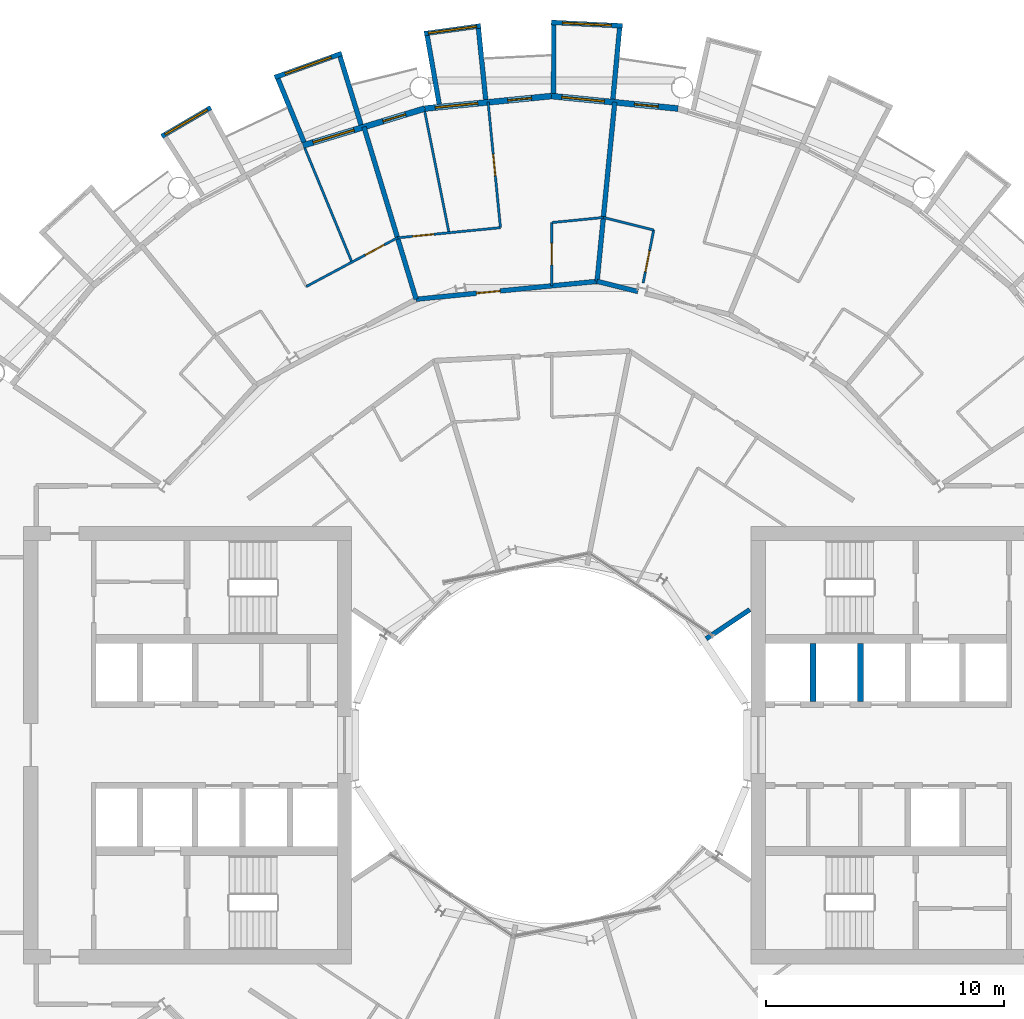
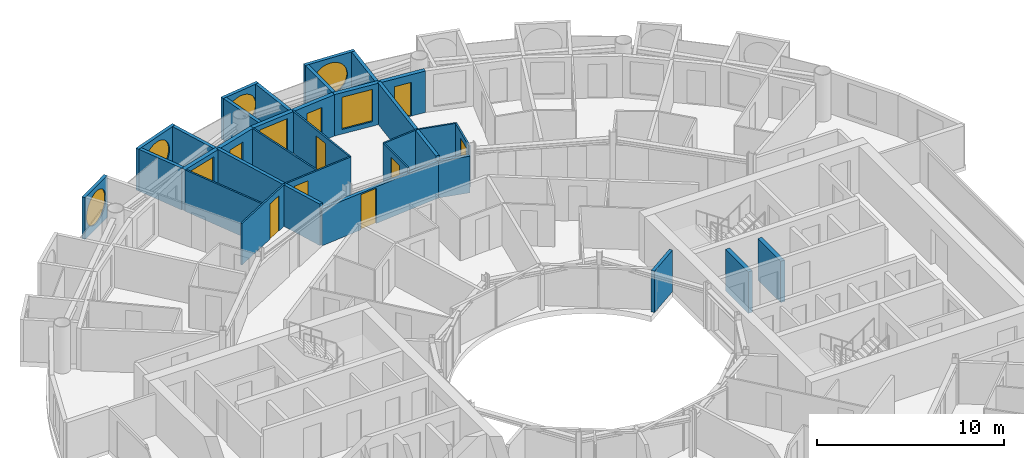
# One storey, part 21 of 26: 29 walls, 9 doors, 7 windows, 16 openings.
"""IFC4 building model written with IfcOpenShell, lengths in metres."""

from ifc_helpers import new_model, si_unit, direction, frame, frame_2d, origin, place, context, subcontext, project, spatial, rectangle, circle, extrude, material, layer, layer_set, type_object, element, fill, save


model = new_model("IFC4")

# Units and contexts
model_context = context("Model", 3, precision=1e-05, world=origin(), true_north=direction((0.0, 1.0)))
body_context = subcontext(model_context, "Body", "Model", "MODEL_VIEW")
ifc_project = project(units=[si_unit("LENGTHUNIT", "METRE"), si_unit("AREAUNIT", "SQUARE_METRE"), si_unit("VOLUMEUNIT", "CUBIC_METRE"), si_unit("PLANEANGLEUNIT", "RADIAN"), si_unit("MASSUNIT", "GRAM", prefix="KILO")], contexts=[model_context])

# Site, building, storey
site_placement = place(None, origin())
site = spatial("IfcSite", under=ifc_project, at=site_placement, CompositionType="ELEMENT")
building_placement = place(site_placement, origin())
building = spatial("IfcBuilding", under=site, at=building_placement, Name="Maasbend Ring Residences", CompositionType="ELEMENT")
storey_placement = place(building_placement, frame((0.0, 0.0, 123.85009765625)))
storey = spatial("IfcBuildingStorey", under=building, at=storey_placement, Name="L35", CompositionType="ELEMENT", Elevation=123.85009765625)

# Wall, opening, door
ifc_material_1 = material(Name="Concrete C30/37", Category="concrete")
ifc_layer_1 = layer(ifc_material_1, 0.199951171875)
ifc_layer_set_1 = layer_set([ifc_layer_1], Name="Concrete C30/37")
wall_type_1 = type_object("IfcWallType", Name="CORRIDOR WALL 200 CONCRETE", PredefinedType="PARTITIONING", material=ifc_layer_set_1)
wall_1_placement = place(storey_placement, frame((-5.696044921875, 18.7529296875, 0.0), z_axis=(0.0, 0.0, 1.0), x_axis=(0.995146797279, 0.098401483048, 0.0)))
wall_1 = element("IfcWall", 1, at=wall_1_placement, inside=storey, type_object=wall_type_1, Name="U-L35-w110", PredefinedType="PARTITIONING", context=body_context, shape_type="SweptSolid", body=[
    extrude(rectangle(XDim=7.654052734375, YDim=0.199951171875, at=frame_2d((3.8271484375, 0.0))), origin(), (0.0, 0.0, 1.0), 2.389892578125),
])
opening_1_placement = place(wall_1_placement, frame((2.555908203125, 0.0, 0.0)))
opening_1 = element("IfcOpeningElement", 2, at=opening_1_placement, cuts=wall_1, Name="Opening D-3510", PredefinedType="OPENING", context=body_context, shape_type="SweptSolid", body=[
    extrude(rectangle(XDim=1.0, YDim=2.300048828125, at=frame_2d((0.5, 1.14990234375))), frame((0.0, 0.10986328125, 0.0), z_axis=(0.0, -1.0, 0.0), x_axis=(1.0, 0.0, 0.0)), (0.0, 0.0, 1.0), 0.219970703125),
])
ifc_material_2 = material(Name="Timber, fire-rated, painted", Category="wood")
door_type_1 = type_object("IfcDoorType", Name="FLAT ENTRANCE DOOR 1000 X 2300 FIRE-RATED", OperationType="NOTDEFINED", PredefinedType="DOOR", material=ifc_material_2)
door_1_placement = place(opening_1_placement, origin())
door_1 = element("IfcDoor", 3, at=door_1_placement, inside=storey, type_object=door_type_1, Name="D-3510", OperationType="SINGLE_SWING_LEFT", OverallHeight=2.300048828125, OverallWidth=1.0, PredefinedType="DOOR", context=body_context, shape_type="SweptSolid", body=[
    extrude(rectangle(XDim=1.0, YDim=2.300048828125, at=frame_2d((0.5, 1.14990234375))), frame((0.0, 0.02490234375, 0.0), z_axis=(0.0, -1.0, 0.0), x_axis=(1.0, 0.0, 0.0)), (0.0, 0.0, 1.0), 0.050048828125),
])
fill(opening_1, door_1)

# Wall
wall_2_placement = place(storey_placement, frame((1.9208984375, 19.506103515625, 0.0), z_axis=(0.0, 0.0, 1.0), x_axis=(0.97002068022, -0.243022385689, 0.0)))
element("IfcWall", 4, at=wall_2_placement, inside=storey, type_object=wall_type_1, Name="U-L35-w112", PredefinedType="PARTITIONING", context=body_context, shape_type="SweptSolid", body=[
    extrude(rectangle(XDim=1.77001953125, YDim=0.199951171875, at=frame_2d((0.885009765625, 0.0))), origin(), (0.0, 0.0, 1.0), 2.389892578125),
])

# Wall, opening, window
ifc_material_3 = material(Name="Pale anodised aluminium panel", Category="aluminium")
ifc_layer_2 = layer(ifc_material_3, 0.199951171875)
ifc_layer_set_2 = layer_set([ifc_layer_2], Name="EW-BOX")
wall_type_2 = type_object("IfcWallType", Name="EW-BOX", PredefinedType="SOLIDWALL", material=ifc_layer_set_2)
wall_3_placement = place(storey_placement, frame((2.985107421875, 30.2529296875, -0.030029296875), z_axis=(0.0, 0.0, 1.0), x_axis=(-0.998794083011, 0.049095618353, 0.0)))
wall_3 = element("IfcWall", 5, at=wall_3_placement, inside=storey, type_object=wall_type_2, Name="Box front N10", PredefinedType="SOLIDWALL", context=body_context, shape_type="SweptSolid", body=[
    extrude(rectangle(XDim=2.99365234375, YDim=0.199951171875, at=frame_2d((1.496826171875, 0.0))), origin(), (0.0, 0.0, 1.0), 2.72998046875),
])
opening_2_placement = place(wall_3_placement, frame((0.45654296875, 0.0, 0.330078125)))
opening_2 = element("IfcOpeningElement", 6, at=opening_2_placement, cuts=wall_3, Name="Opening W-RD", PredefinedType="OPENING", context=body_context, shape_type="SweptSolid", body=[
    extrude(circle(Radius=1.0400390625, at=frame_2d((1.0400390625, 1.0400390625))), frame((0.0, 0.10986328125, 0.0), z_axis=(0.0, -1.0, 0.0), x_axis=(1.0, 0.0, 0.0)), (0.0, 0.0, 1.0), 0.219970703125),
])
ifc_material_4 = material(Name="Aluminium and clear glass", Category="aluminium")
window_type_1 = type_object("IfcWindowType", Name="W-RD", PartitioningType="SINGLE_PANEL", PredefinedType="WINDOW", material=ifc_material_4)
window_1_placement = place(opening_2_placement, origin())
window_1 = element("IfcWindow", 7, at=window_1_placement, inside=storey, type_object=window_type_1, Name="Round window N10", OverallHeight=2.080078125, OverallWidth=2.080078125, PartitioningType="SINGLE_PANEL", PredefinedType="WINDOW", context=body_context, shape_type="SweptSolid", body=[
    extrude(circle(Radius=1.0400390625, at=frame_2d((1.0400390625, 1.0400390625))), frame((0.0, 0.030029296875, 0.0), z_axis=(0.0, -1.0, 0.0), x_axis=(1.0, 0.0, 0.0)), (0.0, 0.0, 1.0), 0.06005859375),
])
fill(opening_2, window_1)

# Walls
wall_4_placement = place(storey_placement, frame((2.5859375, 27.1708984375, -0.030029296875), z_axis=(0.0, 0.0, 1.0), x_axis=(0.094548432284, 0.995520262954, 0.0)))
element("IfcWall", 8, at=wall_4_placement, inside=storey, type_object=wall_type_2, Name="Box side wall N10 left", PredefinedType="SOLIDWALL", context=body_context, shape_type="SweptSolid", body=[
    extrude(rectangle(XDim=3.005615234375, YDim=0.199951171875, at=frame_2d((1.5029296875, 0.0))), origin(), (0.0, 0.0, 1.0), 2.72998046875),
])
wall_5_placement = place(storey_placement, frame((0.090087890625, 27.4169921875, -0.030029296875), z_axis=(0.0, 0.0, 1.0), x_axis=(0.00347308367, 0.999993968827, 0.0)))
element("IfcWall", 9, at=wall_5_placement, inside=storey, type_object=wall_type_2, Name="Box side wall N10 right", PredefinedType="SOLIDWALL", context=body_context, shape_type="SweptSolid", body=[
    extrude(rectangle(XDim=2.882080078125, YDim=0.199951171875, at=frame_2d((1.44091796875, 0.0))), origin(), (0.0, 0.0, 1.0), 2.72998046875),
])

# Wall, opening, window
wall_6_placement = place(storey_placement, frame((-2.97607421875, 30.25390625, -0.030029296875), z_axis=(0.0, 0.0, 1.0), x_axis=(-0.99061207328, -0.136703036805, 0.0)))
wall_6 = element("IfcWall", 10, at=wall_6_placement, inside=storey, type_object=wall_type_2, Name="Box front N12", PredefinedType="SOLIDWALL", context=body_context, shape_type="SweptSolid", body=[
    extrude(rectangle(XDim=2.391357421875, YDim=0.199951171875, at=frame_2d((1.19580078125, 0.0))), origin(), (0.0, 0.0, 1.0), 2.72998046875),
])
opening_3_placement = place(wall_6_placement, frame((0.15576171875, 0.0, 0.330078125)))
opening_3 = element("IfcOpeningElement", 11, at=opening_3_placement, cuts=wall_6, Name="Opening W-RD", PredefinedType="OPENING", context=body_context, shape_type="SweptSolid", body=[
    extrude(circle(Radius=1.0400390625, at=frame_2d((1.0400390625, 1.0400390625))), frame((0.0, 0.10986328125, 0.0), z_axis=(0.0, -1.0, 0.0), x_axis=(1.0, 0.0, 0.0)), (0.0, 0.0, 1.0), 0.219970703125),
])
window_2_placement = place(opening_3_placement, origin())
window_2 = element("IfcWindow", 12, at=window_2_placement, inside=storey, type_object=window_type_1, Name="Round window N12", OverallHeight=2.080078125, OverallWidth=2.080078125, PartitioningType="SINGLE_PANEL", PredefinedType="WINDOW", context=body_context, shape_type="SweptSolid", body=[
    extrude(circle(Radius=1.0400390625, at=frame_2d((1.0400390625, 1.0400390625))), frame((0.0, 0.030029296875, 0.0), z_axis=(0.0, -1.0, 0.0), x_axis=(1.0, 0.0, 0.0)), (0.0, 0.0, 1.0), 0.06005859375),
])
fill(opening_3, window_2)

# Walls
wall_7_placement = place(storey_placement, frame((-2.763916015625, 27.153076171875, -0.030029296875), z_axis=(0.0, 0.0, 1.0), x_axis=(-0.101505487237, 0.994834979311, 0.0)))
element("IfcWall", 13, at=wall_7_placement, inside=storey, type_object=wall_type_2, Name="Box side wall N12 left", PredefinedType="SOLIDWALL", context=body_context, shape_type="SweptSolid", body=[
    extrude(rectangle(XDim=3.006591796875, YDim=0.199951171875, at=frame_2d((1.50341796875, 0.0))), origin(), (0.0, 0.0, 1.0), 2.72998046875),
])
wall_8_placement = place(storey_placement, frame((-4.719970703125, 26.9609375, -0.030029296875), z_axis=(0.0, 0.0, 1.0), x_axis=(-0.172463232037, 0.98501595601, 0.0)))
element("IfcWall", 14, at=wall_8_placement, inside=storey, type_object=wall_type_2, Name="Box side wall N12 right", PredefinedType="SOLIDWALL", context=body_context, shape_type="SweptSolid", body=[
    extrude(rectangle(XDim=2.928955078125, YDim=0.199951171875, at=frame_2d((1.46435546875, 0.0))), origin(), (0.0, 0.0, 1.0), 2.72998046875),
])

# Wall, opening, window
wall_9_placement = place(storey_placement, frame((-8.820068359375, 29.093017578125, -0.030029296875), z_axis=(0.0, 0.0, 1.0), x_axis=(-0.941461077774, -0.337121697664, 0.0)))
wall_9 = element("IfcWall", 15, at=wall_9_placement, inside=storey, type_object=wall_type_2, Name="Box front N14", PredefinedType="SOLIDWALL", context=body_context, shape_type="SweptSolid", body=[
    extrude(rectangle(XDim=2.9931640625, YDim=0.199951171875, at=frame_2d((1.49658203125, 0.0))), origin(), (0.0, 0.0, 1.0), 2.72998046875),
])
opening_4_placement = place(wall_9_placement, frame((0.45654296875, 0.0, 0.330078125)))
opening_4 = element("IfcOpeningElement", 16, at=opening_4_placement, cuts=wall_9, Name="Opening W-RD", PredefinedType="OPENING", context=body_context, shape_type="SweptSolid", body=[
    extrude(circle(Radius=1.0400390625, at=frame_2d((1.0400390625, 1.0400390625))), frame((0.0, 0.10986328125, 0.0), z_axis=(0.0, -1.0, 0.0), x_axis=(1.0, 0.0, 0.0)), (0.0, 0.0, 1.0), 0.219970703125),
])
window_3_placement = place(opening_4_placement, origin())
window_3 = element("IfcWindow", 17, at=window_3_placement, inside=storey, type_object=window_type_1, Name="Round window N14", OverallHeight=2.080078125, OverallWidth=2.080078125, PartitioningType="SINGLE_PANEL", PredefinedType="WINDOW", context=body_context, shape_type="SweptSolid", body=[
    extrude(circle(Radius=1.0400390625, at=frame_2d((1.0400390625, 1.0400390625))), frame((0.0, 0.030029296875, 0.0), z_axis=(0.0, -1.0, 0.0), x_axis=(1.0, 0.0, 0.0)), (0.0, 0.0, 1.0), 0.06005859375),
])
fill(opening_4, window_3)

# Walls
wall_10_placement = place(storey_placement, frame((-8.009033203125, 26.092041015625, -0.030029296875), z_axis=(0.0, 0.0, 1.0), x_axis=(-0.293406695073, 0.955987715029, 0.0)))
element("IfcWall", 18, at=wall_10_placement, inside=storey, type_object=wall_type_2, Name="Box side wall N14 left", PredefinedType="SOLIDWALL", context=body_context, shape_type="SweptSolid", body=[
    extrude(rectangle(XDim=3.00634765625, YDim=0.199951171875, at=frame_2d((1.503173828125, 0.0))), origin(), (0.0, 0.0, 1.0), 2.72998046875),
])
wall_11_placement = place(storey_placement, frame((-10.408935546875, 25.364013671875, -0.030029296875), z_axis=(0.0, 0.0, 1.0), x_axis=(-0.379509886562, 0.925187681501, 0.0)))
element("IfcWall", 19, at=wall_11_placement, inside=storey, type_object=wall_type_2, Name="Box side wall N14 right", PredefinedType="SOLIDWALL", context=body_context, shape_type="SweptSolid", body=[
    extrude(rectangle(XDim=2.882568359375, YDim=0.199951171875, at=frame_2d((1.44140625, 0.0))), origin(), (0.0, 0.0, 1.0), 2.72998046875),
])

# Wall, opening, window
wall_12_placement = place(storey_placement, frame((-14.326904296875, 26.81201171875, -0.030029296875), z_axis=(0.0, 0.0, 1.0), x_axis=(-0.862762477128, -0.505609442218, 0.0)))
wall_12 = element("IfcWall", 20, at=wall_12_placement, inside=storey, type_object=wall_type_2, Name="Box front N16", PredefinedType="SOLIDWALL", context=body_context, shape_type="SweptSolid", body=[
    extrude(rectangle(XDim=2.39111328125, YDim=0.199951171875, at=frame_2d((1.195556640625, 0.0))), origin(), (0.0, 0.0, 1.0), 2.72998046875),
])
opening_5_placement = place(wall_12_placement, frame((0.15576171875, 0.0, 0.330078125)))
opening_5 = element("IfcOpeningElement", 21, at=opening_5_placement, cuts=wall_12, Name="Opening W-RD", PredefinedType="OPENING", context=body_context, shape_type="SweptSolid", body=[
    extrude(circle(Radius=1.0400390625, at=frame_2d((1.0400390625, 1.0400390625))), frame((0.0, 0.10986328125, 0.0), z_axis=(0.0, -1.0, 0.0), x_axis=(1.0, 0.0, 0.0)), (0.0, 0.0, 1.0), 0.219970703125),
])
window_4_placement = place(opening_5_placement, origin())
window_4 = element("IfcWindow", 22, at=window_4_placement, inside=storey, type_object=window_type_1, Name="Round window N16", OverallHeight=2.080078125, OverallWidth=2.080078125, PartitioningType="SINGLE_PANEL", PredefinedType="WINDOW", context=body_context, shape_type="SweptSolid", body=[
    extrude(circle(Radius=1.0400390625, at=frame_2d((1.0400390625, 1.0400390625))), frame((0.0, 0.030029296875, 0.0), z_axis=(0.0, -1.0, 0.0), x_axis=(1.0, 0.0, 0.0)), (0.0, 0.0, 1.0), 0.06005859375),
])
fill(opening_5, window_4)

# Wall, openings, door, window
ifc_material_5 = material(Name="Aluminium clad insulated panel", Category="aluminium")
ifc_layer_3 = layer(ifc_material_5, 0.25)
ifc_layer_set_3 = layer_set([ifc_layer_3], Name="EW-GL")
wall_type_3 = type_object("IfcWallType", Name="EW-GL", PredefinedType="SOLIDWALL", material=ifc_layer_set_3)
wall_13_placement = place(storey_placement, frame((5.325927734375, 26.77490234375, 0.0), z_axis=(0.0, 0.0, 1.0), x_axis=(-0.995173996315, 0.098126026407, 0.0)))
wall_13 = element("IfcWall", 23, at=wall_13_placement, inside=storey, type_object=wall_type_3, Name="External wall N05", PredefinedType="SOLIDWALL", context=body_context, shape_type="SweptSolid", body=[
    extrude(rectangle(XDim=5.351806640625, YDim=0.25, at=frame_2d((2.67578125, 0.0))), origin(), (0.0, 0.0, 1.0), 2.699951171875),
])
opening_6_placement = place(wall_13_placement, frame((0.841064453125, 0.0, 0.0)))
opening_6 = element("IfcOpeningElement", 24, at=opening_6_placement, cuts=wall_13, Name="Opening D-LG", PredefinedType="OPENING", context=body_context, shape_type="SweptSolid", body=[
    extrude(rectangle(XDim=1.0, YDim=2.199951171875, at=frame_2d((0.5, 1.10009765625))), frame((0.0, 0.135009765625, 0.0), z_axis=(0.0, -1.0, 0.0), x_axis=(1.0, 0.0, 0.0)), (0.0, 0.0, 1.0), 0.27001953125),
])
opening_7_placement = place(wall_13_placement, frame((3.110595703125, 0.0, 0.300048828125)))
opening_7 = element("IfcOpeningElement", 25, at=opening_7_placement, cuts=wall_13, Name="Opening W-BX", PredefinedType="OPENING", context=body_context, shape_type="SweptSolid", body=[
    extrude(rectangle(XDim=1.800048828125, YDim=2.10009765625, at=frame_2d((0.89990234375, 1.050048828125))), frame((0.0, 0.135009765625, 0.0), z_axis=(0.0, -1.0, 0.0), x_axis=(1.0, 0.0, 0.0)), (0.0, 0.0, 1.0), 0.27001953125),
])
ifc_material_6 = material(Name="Aluminium and clear glass", Category="aluminium")
door_type_2 = type_object("IfcDoorType", Name="D-LG", OperationType="SINGLE_SWING_LEFT", PredefinedType="DOOR", material=ifc_material_6)
door_2_placement = place(opening_6_placement, origin())
door_2 = element("IfcDoor", 26, at=door_2_placement, inside=storey, type_object=door_type_2, Name="Loggia door N09", OperationType="SINGLE_SWING_LEFT", OverallHeight=2.199951171875, OverallWidth=1.0, PredefinedType="DOOR", context=body_context, shape_type="SweptSolid", body=[
    extrude(rectangle(XDim=1.0, YDim=2.199951171875, at=frame_2d((0.5, 1.10009765625))), frame((0.0, 0.02490234375, 0.0), z_axis=(0.0, -1.0, 0.0), x_axis=(1.0, 0.0, 0.0)), (0.0, 0.0, 1.0), 0.050048828125),
])
fill(opening_6, door_2)
ifc_material_7 = material(Name="Aluminium and clear glass", Category="aluminium")
window_type_2 = type_object("IfcWindowType", Name="W-BX", PartitioningType="DOUBLE_PANEL_VERTICAL", PredefinedType="WINDOW", material=ifc_material_7)
window_5_placement = place(opening_7_placement, origin())
window_5 = element("IfcWindow", 27, at=window_5_placement, inside=storey, type_object=window_type_2, Name="Window N10 room to box", OverallHeight=2.10009765625, OverallWidth=1.800048828125, PartitioningType="SINGLE_PANEL", PredefinedType="WINDOW", context=body_context, shape_type="SweptSolid", body=[
    extrude(rectangle(XDim=1.800048828125, YDim=2.10009765625, at=frame_2d((0.89990234375, 1.050048828125))), frame((0.0, 0.030029296875, 0.0), z_axis=(0.0, -1.0, 0.0), x_axis=(1.0, 0.0, 0.0)), (0.0, 0.0, 1.0), 0.06005859375),
])
fill(opening_7, window_5)

wall_14_placement = place(storey_placement, frame((0.0, 27.300048828125, 0.0), z_axis=(0.0, 0.0, 1.0), x_axis=(-0.995173996315, -0.098126026407, 0.0)))
wall_14 = element("IfcWall", 28, at=wall_14_placement, inside=storey, type_object=wall_type_3, Name="External wall N06", PredefinedType="SOLIDWALL", context=body_context, shape_type="SweptSolid", body=[
    extrude(rectangle(XDim=5.351806640625, YDim=0.25, at=frame_2d((2.67578125, 0.0))), origin(), (0.0, 0.0, 1.0), 2.699951171875),
])
opening_8_placement = place(wall_14_placement, frame((0.841064453125, 0.0, 0.0)))
opening_8 = element("IfcOpeningElement", 29, at=opening_8_placement, cuts=wall_14, Name="Opening D-LG", PredefinedType="OPENING", context=body_context, shape_type="SweptSolid", body=[
    extrude(rectangle(XDim=1.0, YDim=2.199951171875, at=frame_2d((0.5, 1.10009765625))), frame((0.0, 0.135009765625, 0.0), z_axis=(0.0, -1.0, 0.0), x_axis=(1.0, 0.0, 0.0)), (0.0, 0.0, 1.0), 0.27001953125),
])
opening_9_placement = place(wall_14_placement, frame((3.110595703125, 0.0, 0.300048828125)))
opening_9 = element("IfcOpeningElement", 30, at=opening_9_placement, cuts=wall_14, Name="Opening W-BX", PredefinedType="OPENING", context=body_context, shape_type="SweptSolid", body=[
    extrude(rectangle(XDim=1.800048828125, YDim=2.10009765625, at=frame_2d((0.89990234375, 1.050048828125))), frame((0.0, 0.135009765625, 0.0), z_axis=(0.0, -1.0, 0.0), x_axis=(1.0, 0.0, 0.0)), (0.0, 0.0, 1.0), 0.27001953125),
])
door_3_placement = place(opening_8_placement, origin())
door_3 = element("IfcDoor", 31, at=door_3_placement, inside=storey, type_object=door_type_2, Name="Loggia door N11", OperationType="SINGLE_SWING_LEFT", OverallHeight=2.199951171875, OverallWidth=1.0, PredefinedType="DOOR", context=body_context, shape_type="SweptSolid", body=[
    extrude(rectangle(XDim=1.0, YDim=2.199951171875, at=frame_2d((0.5, 1.10009765625))), frame((0.0, 0.02490234375, 0.0), z_axis=(0.0, -1.0, 0.0), x_axis=(1.0, 0.0, 0.0)), (0.0, 0.0, 1.0), 0.050048828125),
])
fill(opening_8, door_3)
window_6_placement = place(opening_9_placement, origin())
window_6 = element("IfcWindow", 32, at=window_6_placement, inside=storey, type_object=window_type_2, Name="Window N12 room to box", OverallHeight=2.10009765625, OverallWidth=1.800048828125, PartitioningType="SINGLE_PANEL", PredefinedType="WINDOW", context=body_context, shape_type="SweptSolid", body=[
    extrude(rectangle(XDim=1.800048828125, YDim=2.10009765625, at=frame_2d((0.89990234375, 1.050048828125))), frame((0.0, 0.030029296875, 0.0), z_axis=(0.0, -1.0, 0.0), x_axis=(1.0, 0.0, 0.0)), (0.0, 0.0, 1.0), 0.06005859375),
])
fill(opening_9, window_6)

wall_15_placement = place(storey_placement, frame((-5.325927734375, 26.77490234375, 0.0), z_axis=(0.0, 0.0, 1.0), x_axis=(-0.956965678721, -0.290201119486, 0.0)))
wall_15 = element("IfcWall", 33, at=wall_15_placement, inside=storey, type_object=wall_type_3, Name="External wall N07", PredefinedType="SOLIDWALL", context=body_context, shape_type="SweptSolid", body=[
    extrude(rectangle(XDim=5.351318359375, YDim=0.25, at=frame_2d((2.67578125, 0.0))), origin(), (0.0, 0.0, 1.0), 2.699951171875),
])
opening_10_placement = place(wall_15_placement, frame((0.841064453125, 0.0, 0.0)))
opening_10 = element("IfcOpeningElement", 34, at=opening_10_placement, cuts=wall_15, Name="Opening D-LG", PredefinedType="OPENING", context=body_context, shape_type="SweptSolid", body=[
    extrude(rectangle(XDim=1.0, YDim=2.199951171875, at=frame_2d((0.5, 1.10009765625))), frame((0.0, 0.135009765625, 0.0), z_axis=(0.0, -1.0, 0.0), x_axis=(1.0, 0.0, 0.0)), (0.0, 0.0, 1.0), 0.27001953125),
])
opening_11_placement = place(wall_15_placement, frame((3.110595703125, 0.0, 0.300048828125)))
opening_11 = element("IfcOpeningElement", 35, at=opening_11_placement, cuts=wall_15, Name="Opening W-BX", PredefinedType="OPENING", context=body_context, shape_type="SweptSolid", body=[
    extrude(rectangle(XDim=1.800048828125, YDim=2.10009765625, at=frame_2d((0.89990234375, 1.050048828125))), frame((0.0, 0.135009765625, 0.0), z_axis=(0.0, -1.0, 0.0), x_axis=(1.0, 0.0, 0.0)), (0.0, 0.0, 1.0), 0.27001953125),
])
door_4_placement = place(opening_10_placement, origin())
door_4 = element("IfcDoor", 36, at=door_4_placement, inside=storey, type_object=door_type_2, Name="Loggia door N13", OperationType="SINGLE_SWING_LEFT", OverallHeight=2.199951171875, OverallWidth=1.0, PredefinedType="DOOR", context=body_context, shape_type="SweptSolid", body=[
    extrude(rectangle(XDim=1.0, YDim=2.199951171875, at=frame_2d((0.5, 1.10009765625))), frame((0.0, 0.02490234375, 0.0), z_axis=(0.0, -1.0, 0.0), x_axis=(1.0, 0.0, 0.0)), (0.0, 0.0, 1.0), 0.050048828125),
])
fill(opening_10, door_4)
window_7_placement = place(opening_11_placement, origin())
window_7 = element("IfcWindow", 37, at=window_7_placement, inside=storey, type_object=window_type_2, Name="Window N14 room to box", OverallHeight=2.10009765625, OverallWidth=1.800048828125, PartitioningType="SINGLE_PANEL", PredefinedType="WINDOW", context=body_context, shape_type="SweptSolid", body=[
    extrude(rectangle(XDim=1.800048828125, YDim=2.10009765625, at=frame_2d((0.89990234375, 1.050048828125))), frame((0.0, 0.030029296875, 0.0), z_axis=(0.0, -1.0, 0.0), x_axis=(1.0, 0.0, 0.0)), (0.0, 0.0, 1.0), 0.06005859375),
])
fill(opening_11, window_7)

# Walls
ifc_material_8 = material(Name="Gypsum board on steel studs", Category="steel")
ifc_layer_4 = layer(ifc_material_8, 0.10009765625)
ifc_layer_set_4 = layer_set([ifc_layer_4], Name="PARTITION 100 GYPSUM")
wall_type_4 = type_object("IfcWallType", Name="PARTITION 100 GYPSUM", PredefinedType="PARTITIONING", material=ifc_layer_set_4)
wall_16_placement = place(storey_placement, frame((-10.375, 25.115966796875, 0.0), z_axis=(0.0, 0.0, 1.0), x_axis=(0.381673756215, -0.924297107978, 0.0)))
element("IfcWall", 38, at=wall_16_placement, inside=storey, type_object=wall_type_4, Name="U-L35-w051", PredefinedType="PARTITIONING", context=body_context, shape_type="SweptSolid", body=[
    extrude(rectangle(XDim=5.1953125, YDim=0.10009765625, at=frame_2d((2.59765625, 0.0))), origin(), (0.0, 0.0, 1.0), 2.699951171875),
])
wall_17_placement = place(storey_placement, frame((-5.326904296875, 26.64794921875, 0.0), z_axis=(0.0, 0.0, 1.0), x_axis=(0.195899255693, -0.980624026638, 0.0)))
element("IfcWall", 39, at=wall_17_placement, inside=storey, type_object=wall_type_4, Name="U-L35-w058", PredefinedType="PARTITIONING", context=body_context, shape_type="SweptSolid", body=[
    extrude(rectangle(XDim=5.195556640625, YDim=0.10009765625, at=frame_2d((2.59765625, 0.0))), origin(), (0.0, 0.0, 1.0), 2.699951171875),
])

# Wall, opening, door
wall_18_placement = place(storey_placement, frame((-2.6640625, 27.0439453125, 0.0), z_axis=(0.0, 0.0, 1.0), x_axis=(0.098054199821, -0.995181075934, 0.0)))
wall_18 = element("IfcWall", 40, at=wall_18_placement, inside=storey, type_object=wall_type_4, Name="U-L35-w061", PredefinedType="PARTITIONING", context=body_context, shape_type="SweptSolid", body=[
    extrude(rectangle(XDim=5.303466796875, YDim=0.10009765625, at=frame_2d((2.65185546875, 0.0))), origin(), (0.0, 0.0, 1.0), 2.699951171875),
])
opening_12_placement = place(wall_18_placement, frame((2.201904296875, 0.0, 0.0)))
opening_12 = element("IfcOpeningElement", 41, at=opening_12_placement, cuts=wall_18, Name="Opening D-3512", PredefinedType="OPENING", context=body_context, shape_type="SweptSolid", body=[
    extrude(rectangle(XDim=0.89990234375, YDim=2.300048828125, at=frame_2d((0.449951171875, 1.14990234375))), frame((0.0, 0.06005859375, 0.0), z_axis=(0.0, -1.0, 0.0), x_axis=(1.0, 0.0, 0.0)), (0.0, 0.0, 1.0), 0.1201171875),
])
ifc_material_9 = material(Name="Timber, painted", Category="wood")
door_type_3 = type_object("IfcDoorType", Name="INTERNAL DOOR 900 X 2300", OperationType="NOTDEFINED", PredefinedType="DOOR", material=ifc_material_9)
door_5_placement = place(opening_12_placement, origin())
door_5 = element("IfcDoor", 42, at=door_5_placement, inside=storey, type_object=door_type_3, Name="D-3512", OperationType="SINGLE_SWING_RIGHT", OverallHeight=2.300048828125, OverallWidth=0.89990234375, PredefinedType="DOOR", context=body_context, shape_type="SweptSolid", body=[
    extrude(rectangle(XDim=0.89990234375, YDim=2.300048828125, at=frame_2d((0.449951171875, 1.14990234375))), frame((0.0, 0.02490234375, 0.0), z_axis=(0.0, -1.0, 0.0), x_axis=(1.0, 0.0, 0.0)), (0.0, 0.0, 1.0), 0.050048828125),
])
fill(opening_12, door_5)

wall_19_placement = place(storey_placement, frame((0.01806640625, 19.318115234375, 0.0), z_axis=(0.0, 0.0, 1.0), x_axis=(0.001101017775, 0.99999939388, 0.0)))
wall_19 = element("IfcWall", 43, at=wall_19_placement, inside=storey, type_object=wall_type_4, Name="U-L35-w066", PredefinedType="PARTITIONING", context=body_context, shape_type="SweptSolid", body=[
    extrude(rectangle(XDim=2.660888671875, YDim=0.10009765625, at=frame_2d((1.33056640625, 0.0))), origin(), (0.0, 0.0, 1.0), 2.699951171875),
])
opening_13_placement = place(wall_19_placement, frame((0.881103515625, 0.0, 0.0)))
opening_13 = element("IfcOpeningElement", 44, at=opening_13_placement, cuts=wall_19, Name="Opening D-3511", PredefinedType="OPENING", context=body_context, shape_type="SweptSolid", body=[
    extrude(rectangle(XDim=0.89990234375, YDim=2.300048828125, at=frame_2d((0.449951171875, 1.14990234375))), frame((0.0, 0.06005859375, 0.0), z_axis=(0.0, -1.0, 0.0), x_axis=(1.0, 0.0, 0.0)), (0.0, 0.0, 1.0), 0.1201171875),
])
door_6_placement = place(opening_13_placement, origin())
door_6 = element("IfcDoor", 45, at=door_6_placement, inside=storey, type_object=door_type_3, Name="D-3511", OperationType="SINGLE_SWING_LEFT", OverallHeight=2.300048828125, OverallWidth=0.89990234375, PredefinedType="DOOR", context=body_context, shape_type="SweptSolid", body=[
    extrude(rectangle(XDim=0.89990234375, YDim=2.300048828125, at=frame_2d((0.449951171875, 1.14990234375))), frame((0.0, 0.02490234375, 0.0), z_axis=(0.0, -1.0, 0.0), x_axis=(1.0, 0.0, 0.0)), (0.0, 0.0, 1.0), 0.050048828125),
])
fill(opening_13, door_6)

wall_20_placement = place(storey_placement, frame((3.860107421875, 19.43603515625, 0.0), z_axis=(0.0, 0.0, 1.0), x_axis=(0.194627049372, 0.98087731733, 0.0)))
wall_20 = element("IfcWall", 46, at=wall_20_placement, inside=storey, type_object=wall_type_4, Name="U-L35-w074", PredefinedType="PARTITIONING", context=body_context, shape_type="SweptSolid", body=[
    extrude(rectangle(XDim=2.2705078125, YDim=0.10009765625, at=frame_2d((1.13525390625, 0.0))), origin(), (0.0, 0.0, 1.0), 2.699951171875),
])
opening_14_placement = place(wall_20_placement, frame((0.48291015625, 0.0, 0.0)))
opening_14 = element("IfcOpeningElement", 47, at=opening_14_placement, cuts=wall_20, Name="Opening D-3508", PredefinedType="OPENING", context=body_context, shape_type="SweptSolid", body=[
    extrude(rectangle(XDim=0.89990234375, YDim=2.300048828125, at=frame_2d((0.449951171875, 1.14990234375))), frame((0.0, 0.06005859375, 0.0), z_axis=(0.0, -1.0, 0.0), x_axis=(1.0, 0.0, 0.0)), (0.0, 0.0, 1.0), 0.1201171875),
])
door_7_placement = place(opening_14_placement, origin())
door_7 = element("IfcDoor", 48, at=door_7_placement, inside=storey, type_object=door_type_3, Name="D-3508", OperationType="SINGLE_SWING_LEFT", OverallHeight=2.300048828125, OverallWidth=0.89990234375, PredefinedType="DOOR", context=body_context, shape_type="SweptSolid", body=[
    extrude(rectangle(XDim=0.89990234375, YDim=2.300048828125, at=frame_2d((0.449951171875, 1.14990234375))), frame((0.0, 0.02490234375, 0.0), z_axis=(0.0, -1.0, 0.0), x_axis=(1.0, 0.0, 0.0)), (0.0, 0.0, 1.0), 0.050048828125),
])
fill(opening_14, door_7)

wall_21_placement = place(storey_placement, frame((-10.31201171875, 19.2880859375, 0.0), z_axis=(0.0, 0.0, 1.0), x_axis=(0.881932070463, 0.471376519451, 0.0)))
wall_21 = element("IfcWall", 49, at=wall_21_placement, inside=storey, type_object=wall_type_4, Name="U-L35-w120", PredefinedType="PARTITIONING", context=body_context, shape_type="SweptSolid", body=[
    extrude(rectangle(XDim=4.355224609375, YDim=0.10009765625, at=frame_2d((2.177734375, 0.0))), origin(), (0.0, 0.0, 1.0), 2.699951171875),
])
opening_15_placement = place(wall_21_placement, frame((2.81591796875, 0.0, 0.0)))
opening_15 = element("IfcOpeningElement", 50, at=opening_15_placement, cuts=wall_21, Name="Opening D-3517", PredefinedType="OPENING", context=body_context, shape_type="SweptSolid", body=[
    extrude(rectangle(XDim=0.89990234375, YDim=2.300048828125, at=frame_2d((0.449951171875, 1.14990234375))), frame((0.0, 0.06005859375, 0.0), z_axis=(0.0, -1.0, 0.0), x_axis=(1.0, 0.0, 0.0)), (0.0, 0.0, 1.0), 0.1201171875),
])
door_8_placement = place(opening_15_placement, origin())
door_8 = element("IfcDoor", 51, at=door_8_placement, inside=storey, type_object=door_type_3, Name="D-3517", OperationType="SINGLE_SWING_RIGHT", OverallHeight=2.300048828125, OverallWidth=0.89990234375, PredefinedType="DOOR", context=body_context, shape_type="SweptSolid", body=[
    extrude(rectangle(XDim=0.89990234375, YDim=2.300048828125, at=frame_2d((0.449951171875, 1.14990234375))), frame((0.0, 0.02490234375, 0.0), z_axis=(0.0, -1.0, 0.0), x_axis=(1.0, 0.0, 0.0)), (0.0, 0.0, 1.0), 0.050048828125),
])
fill(opening_15, door_8)

wall_22_placement = place(storey_placement, frame((-6.48193359375, 21.3359375, 0.0), z_axis=(0.0, 0.0, 1.0), x_axis=(0.995148257168, 0.098386717885, 0.0)))
wall_22 = element("IfcWall", 52, at=wall_22_placement, inside=storey, type_object=wall_type_4, Name="U-L35-w121", PredefinedType="PARTITIONING", context=body_context, shape_type="SweptSolid", body=[
    extrude(rectangle(XDim=4.349853515625, YDim=0.10009765625, at=frame_2d((2.1748046875, 0.0))), origin(), (0.0, 0.0, 1.0), 2.699951171875),
])
opening_16_placement = place(wall_22_placement, frame((0.64697265625, 0.0, 0.0)))
opening_16 = element("IfcOpeningElement", 53, at=opening_16_placement, cuts=wall_22, Name="Opening D-3513", PredefinedType="OPENING", context=body_context, shape_type="SweptSolid", body=[
    extrude(rectangle(XDim=0.89990234375, YDim=2.300048828125, at=frame_2d((0.449951171875, 1.14990234375))), frame((0.0, 0.06005859375, 0.0), z_axis=(0.0, -1.0, 0.0), x_axis=(1.0, 0.0, 0.0)), (0.0, 0.0, 1.0), 0.1201171875),
])
door_9_placement = place(opening_16_placement, origin())
door_9 = element("IfcDoor", 54, at=door_9_placement, inside=storey, type_object=door_type_3, Name="D-3513", OperationType="SINGLE_SWING_LEFT", OverallHeight=2.300048828125, OverallWidth=0.89990234375, PredefinedType="DOOR", context=body_context, shape_type="SweptSolid", body=[
    extrude(rectangle(XDim=0.89990234375, YDim=2.300048828125, at=frame_2d((0.449951171875, 1.14990234375))), frame((0.0, 0.02490234375, 0.0), z_axis=(0.0, -1.0, 0.0), x_axis=(1.0, 0.0, 0.0)), (0.0, 0.0, 1.0), 0.050048828125),
])
fill(opening_16, door_9)

# Walls
wall_23_placement = place(storey_placement, frame((0.02099609375, 21.97900390625, 0.0), z_axis=(0.0, 0.0, 1.0), x_axis=(0.995145478845, 0.098414815623, 0.0)))
element("IfcWall", 55, at=wall_23_placement, inside=storey, type_object=wall_type_4, Name="U-L35-w122", PredefinedType="PARTITIONING", context=body_context, shape_type="SweptSolid", body=[
    extrude(rectangle(XDim=2.175537109375, YDim=0.10009765625, at=frame_2d((1.087890625, 0.0))), origin(), (0.0, 0.0, 1.0), 2.699951171875),
])
wall_24_placement = place(storey_placement, frame((2.18603515625, 22.193115234375, 0.0), z_axis=(0.0, 0.0, 1.0), x_axis=(0.97003047456, -0.242983288366, 0.0)))
element("IfcWall", 56, at=wall_24_placement, inside=storey, type_object=wall_type_4, Name="U-L35-w125", PredefinedType="PARTITIONING", context=body_context, shape_type="SweptSolid", body=[
    extrude(rectangle(XDim=2.181396484375, YDim=0.10009765625, at=frame_2d((1.0908203125, 0.0))), origin(), (0.0, 0.0, 1.0), 2.699951171875),
])
ifc_material_10 = material(Name="Concrete C30/37", Category="concrete")
ifc_layer_5 = layer(ifc_material_10, 0.199951171875)
ifc_layer_set_5 = layer_set([ifc_layer_5], Name="Concrete C30/37")
wall_type_5 = type_object("IfcWallType", Name="PARTY WALL 200 CONCRETE", PredefinedType="PARTITIONING", material=ifc_layer_set_5)
for number, where, z_axis, x_axis, name in (
    (57, (-7.886962890625, 26.0048828125, 0.0), (0.0, 0.0, 1.0), (0.29005838641, -0.957008951094, 0.0), "U-L35-w036"),
    (58, (1.9208984375, 19.506103515625, 0.0), (0.0, 0.0, 1.0), (0.098115395479, 0.995175044487, 0.0), "U-L35-w070"),
):
    element("IfcWall", number, at=place(storey_placement, frame(where, z_axis=z_axis, x_axis=x_axis)), inside=storey, type_object=wall_type_5, Name=name, PredefinedType="PARTITIONING", context=body_context, shape_type="SweptSolid", body=[
        extrude(rectangle(XDim=7.574462890625, YDim=0.199951171875, at=frame_2d((3.787109375, 0.0))), origin(), (0.0, 0.0, 1.0), 2.699951171875),
    ])
wall_25_placement = place(storey_placement, frame((6.512939453125, 4.471923828125, 0.0), z_axis=(0.0, 0.0, 1.0), x_axis=(0.831333375071, 0.555774072347, 0.0)))
element("IfcWall", 59, at=wall_25_placement, inside=storey, type_object=wall_type_5, Name="U-L35-w097", PredefinedType="PARTITIONING", context=body_context, shape_type="SweptSolid", body=[
    extrude(rectangle(XDim=2.20263671875, YDim=0.199951171875, at=frame_2d((1.101318359375, 0.0))), origin(), (0.0, 0.0, 1.0), 2.699951171875),
])
ifc_material_11 = material(Name="Concrete C30/37", Category="concrete")
ifc_layer_6 = layer(ifc_material_11, 0.25)
ifc_layer_set_6 = layer_set([ifc_layer_6], Name="Concrete C30/37")
wall_type_6 = type_object("IfcWallType", Name="SHAFT WALL 250 EI 120", PredefinedType="SOLIDWALL", material=ifc_layer_set_6)
for number, where, z_axis, x_axis, name in (
    (60, (11.0, 1.824951171875, 0.0), (0.0, 0.0, 1.0), (0.0, 1.0, 0.0), "L35 core E wall D110N"),
    (61, (13.0, 1.824951171875, 0.0), (0.0, 0.0, 1.0), (0.0, 1.0, 0.0), "L35 core E wall D130N"),
):
    element("IfcWall", number, at=place(storey_placement, frame(where, z_axis=z_axis, x_axis=x_axis)), inside=storey, type_object=wall_type_6, Name=name, PredefinedType="SOLIDWALL", context=body_context, shape_type="SweptSolid", body=[
        extrude(rectangle(XDim=2.449951171875, YDim=0.25, at=frame_2d((1.22509765625, 0.0))), origin(), (0.0, 0.0, 1.0), 2.699951171875),
    ])

save(model, "model.ifc")
